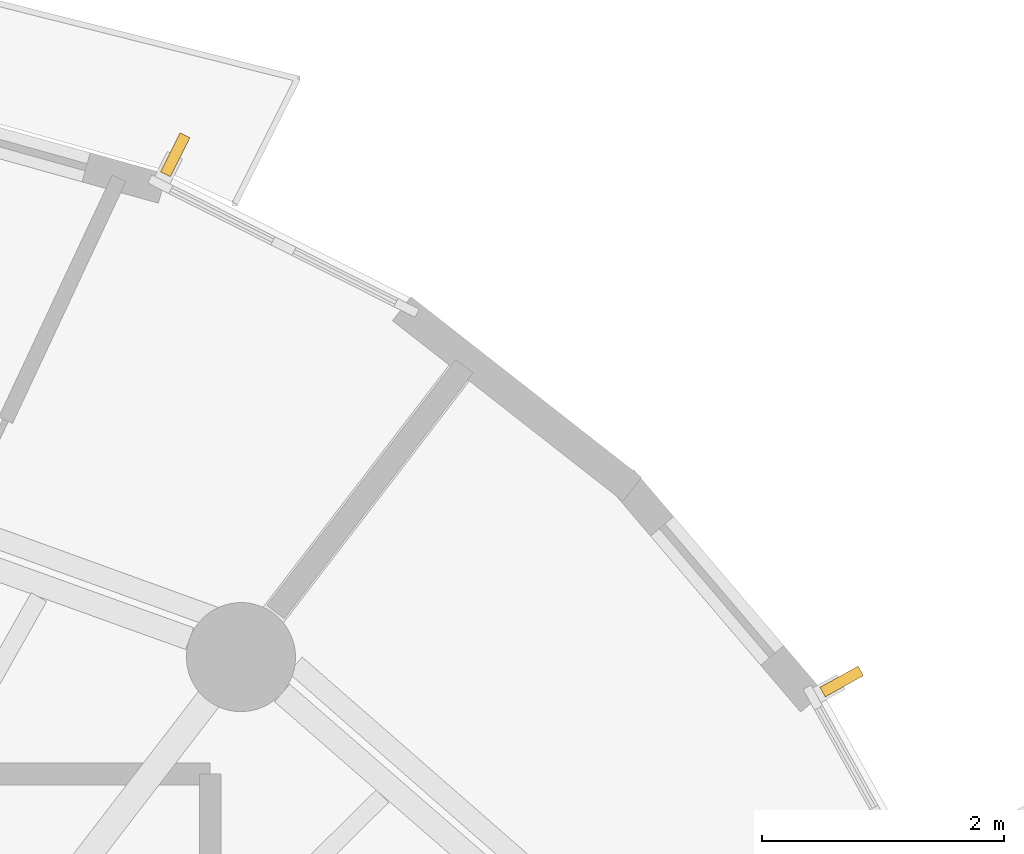
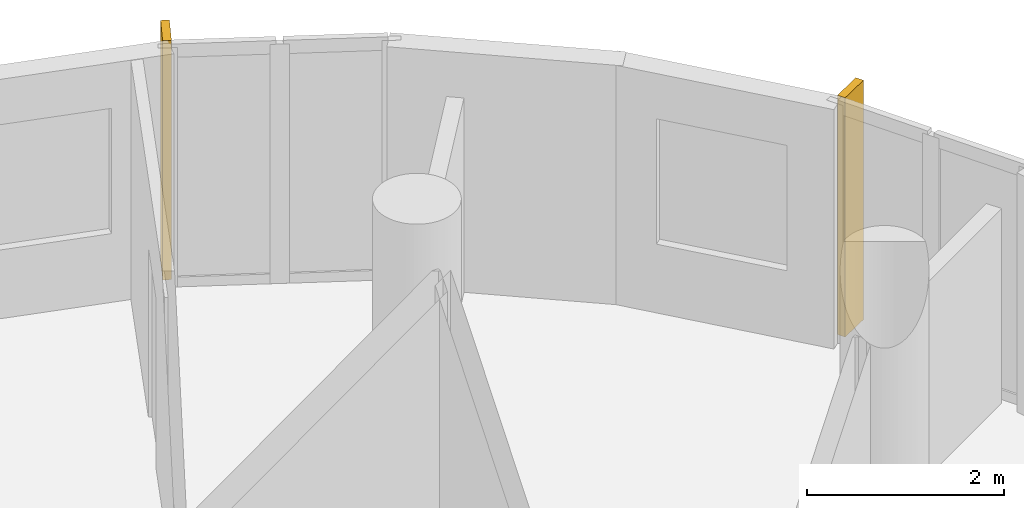
# One storey, part 10 of 10: 2 shading devices.
"""IFC4 building model written with IfcOpenShell, lengths in metres."""

import ifcopenshell
import ifcopenshell.guid

model = None  # the IFC model being written
_history = None  # IfcOwnerHistory: only IFC2X3 demands one
_inside = {}  # id of a spatial element -> (the spatial element, [elements in it])
_under = {}  # id of a project, library or spatial element -> (it, [spatial elements below it])
_declared = {}  # id of a project -> (the project, [libraries it declares])
_typed = {}  # id of a type object -> (the type object, [elements of that type])
_made_of = {}  # id of a material, layer set ... -> (it, [elements and type objects made of it])


def new_model(schema):
    """Start an empty IFC model of exactly this schema.

    Asked for "IFC4X3", IfcOpenShell would pick the latest addendum, in which some entities
    have other attributes; the version numbers below select the first issue.
    IFC2X3 requires an IfcOwnerHistory on every rooted entity: one is made here for all.
    """
    global model, _history
    if schema == "IFC4X3":
        model = ifcopenshell.file(schema_version=(4, 3, 0, 0))
    else:
        model = ifcopenshell.file(schema=schema)
    _inside.clear()
    _under.clear()
    _declared.clear()
    _typed.clear()
    _made_of.clear()
    _history = None
    if model.schema == "IFC2X3":
        org = make("IfcOrganization", Name="unknown")
        user = make(
            "IfcPersonAndOrganization",
            ThePerson=make("IfcPerson", FamilyName="unknown"),
            TheOrganization=org,
        )
        app = make(
            "IfcApplication",
            ApplicationDeveloper=org,
            Version="unknown",
            ApplicationFullName="unknown",
            ApplicationIdentifier="unknown",
        )
        _history = make(
            "IfcOwnerHistory",
            OwningUser=user,
            OwningApplication=app,
            ChangeAction="ADDED",
            CreationDate=0,
        )
    return model


def make(cls, **values):
    """One entity of the class cls with the attributes given. An attribute that is None is left unset."""
    return model.create_entity(
        cls, **{name: value for name, value in values.items() if value is not None}
    )


def rooted(cls, **values):
    """An entity with a GlobalId (a new one), such as an element, a storey or a relation."""
    return make(cls, GlobalId=ifcopenshell.guid.new(), OwnerHistory=_history, **values)


def si_unit(unit_type, name, prefix=None):
    """IfcSIUnit, for example si_unit("LENGTHUNIT", "METRE", prefix="MILLI")."""
    return make("IfcSIUnit", UnitType=unit_type, Prefix=prefix, Name=name)


def assignment(units):
    """IfcUnitAssignment: the units of a project."""
    return None if units is None else make("IfcUnitAssignment", Units=units)


def point(xyz):
    """IfcCartesianPoint."""
    return None if xyz is None else make("IfcCartesianPoint", Coordinates=xyz)


def direction(xyz):
    """IfcDirection."""
    return None if xyz is None else make("IfcDirection", DirectionRatios=xyz)


def frame(location, z_axis=None, x_axis=None):
    """IfcAxis2Placement3D, a coordinate frame: its origin and axes. An axis left out is left unset."""
    return make(
        "IfcAxis2Placement3D",
        Location=point(location),
        Axis=direction(z_axis),
        RefDirection=direction(x_axis),
    )


def frame_2d(location, x_axis=None):
    """IfcAxis2Placement2D, a coordinate frame in the plane: its origin and x axis."""
    return make(
        "IfcAxis2Placement2D", Location=point(location), RefDirection=direction(x_axis)
    )


def origin():
    """The frame at (0, 0, 0) with its axes left unset."""
    return frame((0.0, 0.0, 0.0))


def origin_2d():
    """The frame at (0, 0) in the plane with its x axis left unset."""
    return frame_2d((0.0, 0.0))


def place(relative_to, where):
    """IfcLocalPlacement: puts the frame where relative to a parent placement (None: the world)."""
    return make(
        "IfcLocalPlacement", PlacementRelTo=relative_to, RelativePlacement=where
    )


def context(
    kind, dimensions, precision=None, world=None, true_north=None, identifier=None
):
    """IfcGeometricRepresentationContext, for example the 3D "Model" context."""
    return make(
        "IfcGeometricRepresentationContext",
        ContextIdentifier=identifier,
        ContextType=kind,
        CoordinateSpaceDimension=dimensions,
        Precision=precision,
        WorldCoordinateSystem=world,
        TrueNorth=true_north,
    )


def subcontext(parent, identifier, kind, view, scale=None):
    """IfcGeometricRepresentationSubContext, for example "Body" below "Model"."""
    return make(
        "IfcGeometricRepresentationSubContext",
        ContextIdentifier=identifier,
        ContextType=kind,
        ParentContext=parent,
        TargetScale=scale,
        TargetView=view,
    )


def project(units=None, contexts=None):
    """IfcProject with its units and contexts."""
    return rooted(
        "IfcProject",
        Name="project",
        RepresentationContexts=contexts,
        UnitsInContext=assignment(units),
    )


def spatial(cls, under=None, at=None, **own):
    """A site, building, storey or space (cls), placed at a placement, below another one or the project."""
    s = rooted(cls, ObjectPlacement=at, **own)
    if under is not None:
        _under.setdefault(under.id(), (under, []))[1].append(s)
    return s


def profile(cls, at=None, kind="AREA", **sizes):
    """A parametric profile (cls). Its sizes go by their IFC names, for example OverallWidth=200.0."""
    return make(cls, ProfileType=kind, Position=at, **sizes)


def rectangle(**sizes):
    """IfcRectangleProfileDef."""
    return profile("IfcRectangleProfileDef", **sizes)


def extrude(swept, where, along, depth):
    """IfcExtrudedAreaSolid: the profile swept, set in the frame where, extruded along a direction by depth."""
    return make(
        "IfcExtrudedAreaSolid",
        SweptArea=swept,
        Position=where,
        ExtrudedDirection=direction(along),
        Depth=depth,
    )


def shape(context_of_items, identifier, shape_type, items):
    """IfcShapeRepresentation: the items that make up one representation, for example the "Body"."""
    return make(
        "IfcShapeRepresentation",
        ContextOfItems=context_of_items,
        RepresentationIdentifier=identifier,
        RepresentationType=shape_type,
        Items=items,
    )


def material(Name=None, Category=None):
    """IfcMaterial."""
    return make("IfcMaterial", Name=Name, Category=Category)


def layer(
    of_material, thickness, ventilated=None, Name=None, Category=None, Priority=None
):
    """IfcMaterialLayer: one layer of a wall or slab, of a material (None: an air gap)."""
    return make(
        "IfcMaterialLayer",
        Material=of_material,
        LayerThickness=thickness,
        IsVentilated=ventilated,
        Name=Name,
        Category=Category,
        Priority=Priority,
    )


def layer_set(layers, Name=None):
    """IfcMaterialLayerSet."""
    return make("IfcMaterialLayerSet", MaterialLayers=layers, LayerSetName=Name)


def made_of(thing, what):
    """Note that an element or type object is made of a material, layer set ...; save() writes the relation."""
    if what is not None:
        _made_of.setdefault(what.id(), (what, []))[1].append(thing)
    return thing


def type_object(cls, material=None, **own):
    """A type object (cls), such as IfcWallType, which elements share."""
    return made_of(rooted(cls, **own), material)


def element(
    cls,
    number,
    at=None,
    inside=None,
    cuts=None,
    type_object=None,
    material=None,
    context=None,
    identifier="Body",
    shape_type=None,
    held_by="IfcProductDefinitionShape",
    body=None,
    shapes=None,
    **own,
):
    """One element of the class cls, such as IfcWall. Its Tag is "e" and its number.

    at: its placement. inside: the storey or other place that contains it. cuts: it is an
    opening in that element (IfcRelVoidsElement). A single representation is given by context,
    identifier, shape_type and body (its items); several are given by shapes. held_by: the class
    of the entity that holds the representations. save() writes the other relations.
    """
    e = rooted(cls, Tag="e%d" % number, ObjectPlacement=at, **own)
    if body is not None:
        shapes = [shape(context, identifier, shape_type, body)]
    if shapes is not None:
        e.Representation = make(held_by, Representations=shapes)
    if inside is not None:
        _inside.setdefault(inside.id(), (inside, []))[1].append(e)
    if cuts is not None:
        rooted(
            "IfcRelVoidsElement", RelatingBuildingElement=cuts, RelatedOpeningElement=e
        )
    if type_object is not None:
        _typed.setdefault(type_object.id(), (type_object, []))[1].append(e)
    return made_of(e, material)


def aggregate(whole, parts):
    """IfcRelAggregates: a whole, such as a stair, and the parts it consists of."""
    return rooted("IfcRelAggregates", RelatingObject=whole, RelatedObjects=parts)


def save(model, path):
    """Write the relations noted so far, then the file.

    IfcRelAggregates (storeys below a building ...), IfcRelContainedInSpatialStructure (elements
    in a storey), IfcRelDefinesByType, IfcRelAssociatesMaterial and IfcRelDeclares: one each for
    every whole, place, type object, material and project.
    """
    for whole, parts in _under.values():
        aggregate(whole, parts)
    for where, things in _inside.values():
        rooted(
            "IfcRelContainedInSpatialStructure",
            RelatedElements=things,
            RelatingStructure=where,
        )
    for kind, things in _typed.values():
        rooted("IfcRelDefinesByType", RelatedObjects=things, RelatingType=kind)
    for what, things in _made_of.values():
        rooted("IfcRelAssociatesMaterial", RelatedObjects=things, RelatingMaterial=what)
    for by, libraries in _declared.values():
        rooted("IfcRelDeclares", RelatingContext=by, RelatedDefinitions=libraries)
    model.write(path)


model = new_model("IFC4")

# Units and contexts
model_context = context("Model", 3, precision=1e-05, world=origin(), true_north=direction((0.0, 1.0)))
body_context = subcontext(model_context, "Body", "Model", "MODEL_VIEW")
ifc_project = project(units=[si_unit("LENGTHUNIT", "METRE"), si_unit("AREAUNIT", "SQUARE_METRE"), si_unit("VOLUMEUNIT", "CUBIC_METRE"), si_unit("PLANEANGLEUNIT", "RADIAN"), si_unit("MASSUNIT", "GRAM", prefix="KILO")], contexts=[model_context])

# Site, building, storey
site_placement = place(None, origin())
site = spatial("IfcSite", under=ifc_project, at=site_placement, CompositionType="ELEMENT")
building_placement = place(site_placement, origin())
building = spatial("IfcBuilding", under=site, at=building_placement, Name="Veldorim Arch Residences", CompositionType="ELEMENT")
storey_placement = place(building_placement, frame((0.0, 0.0, 188.639892578125)))
storey = spatial("IfcBuildingStorey", under=building, at=storey_placement, Name="L56", CompositionType="ELEMENT", Elevation=188.639892578125)

# Shading devices
ifc_material = material(Name="Terracotta Ceramic", Category="masonry")
ifc_layer = layer(ifc_material, 0.090087890625, Name="Vertical Extruded Terracotta Baguette Sun-Shading Fin")
ifc_layer_set = layer_set([ifc_layer], Name="Terracotta Ceramic")
shading_device_type = type_object("IfcShadingDeviceType", Name="Vertical Extruded Terracotta Baguette Sun-Shading Fin", PredefinedType="USERDEFINED", material=ifc_layer_set)
for number, where, z_axis, x_axis, name in (
    (1, (38.79150390625, 37.68994140625, 0.000244140625), (0.0, 0.0, 1.0), (0.893606528733, -0.448851168881, 0.0), "L56 vertical terracotta sun-shading fin 02"),
    (2, (44.289794921875, 33.344482421875, 0.000244140625), (0.0, 0.0, 1.0), (0.485877807712, -0.874026747859, 0.0), "L56 vertical terracotta sun-shading fin 35"),
):
    element("IfcShadingDevice", number, at=place(storey_placement, frame(where, z_axis=z_axis, x_axis=x_axis)), inside=storey, type_object=shading_device_type, Name=name, ObjectType="FIN", PredefinedType="USERDEFINED", context=body_context, shape_type="SweptSolid", body=[
        extrude(rectangle(XDim=0.090087890625, YDim=0.360107421875, at=origin_2d()), origin(), (0.0, 0.0, 1.0), 2.9599609375),
    ])

save(model, "model.ifc")
